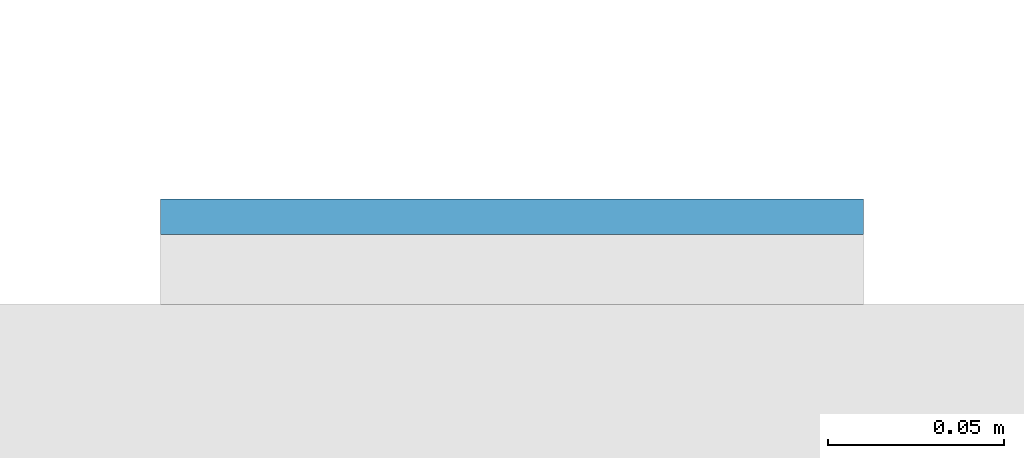
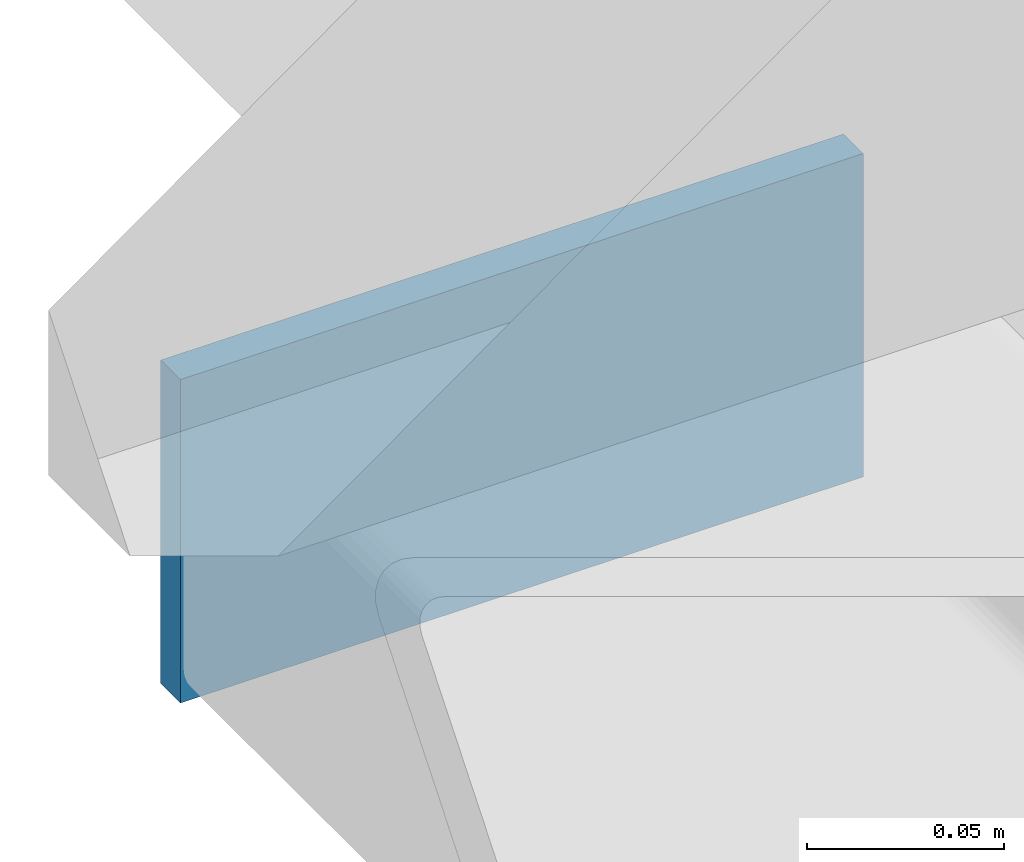
# One storey, part 9 of 20: 1 plate.
"""IFC4 building model written with IfcOpenShell, lengths in metres."""

from ifc_helpers import new_model, si_unit, direction, frame, origin, origin_2d, place, context, subcontext, project, spatial, rectangle, extrude, material, layer, layer_set, type_object, element, save


model = new_model("IFC4")

# Units and contexts
model_context = context("Model", 3, precision=1e-05, world=origin(), true_north=direction((0.0, 1.0)))
body_context = subcontext(model_context, "Body", "Model", "MODEL_VIEW")
ifc_project = project(units=[si_unit("LENGTHUNIT", "METRE"), si_unit("AREAUNIT", "SQUARE_METRE"), si_unit("VOLUMEUNIT", "CUBIC_METRE"), si_unit("PLANEANGLEUNIT", "RADIAN"), si_unit("MASSUNIT", "GRAM", prefix="KILO")], contexts=[model_context])

# Site, building, storey
site_placement = place(None, origin())
site = spatial("IfcSite", under=ifc_project, at=site_placement, CompositionType="ELEMENT")
building_placement = place(site_placement, origin())
building = spatial("IfcBuilding", under=site, at=building_placement, Name="Cleftline Residences", CompositionType="ELEMENT")
storey_placement = place(building_placement, frame((0.0, 0.0, 135.800048828125)))
storey = spatial("IfcBuildingStorey", under=building, at=storey_placement, Name="L35", CompositionType="ELEMENT", Elevation=135.800048828125)

# Plate
ifc_material = material(Name="Steel S355, hot-dip galvanised", Category="steel")
ifc_layer = layer(ifc_material, 0.010009765625)
ifc_layer_set = layer_set([ifc_layer], Name="BAGUETTE CARRIER END PLATE 200X100X10")
plate_type = type_object("IfcPlateType", Name="BAGUETTE CARRIER END PLATE 200X100X10", PredefinedType="USERDEFINED", material=ifc_layer_set)
plate_placement = place(storey_placement, frame((-0.85009765625, 44.304931640625, -0.10009765625), z_axis=(0.0, 0.0, 1.0), x_axis=(-1.0, 0.0, 0.0)))
element("IfcPlate", 1, at=plate_placement, inside=storey, type_object=plate_type, Name="Baguette carrier end plate", ObjectType="BAGUETTE CARRIER END PLATE", PredefinedType="USERDEFINED", context=body_context, shape_type="SweptSolid", body=[
    extrude(rectangle(XDim=0.199951171875, YDim=0.010009765625, at=origin_2d()), origin(), (0.0, 0.0, 1.0), 0.10009765625),
])

save(model, "model.ifc")
